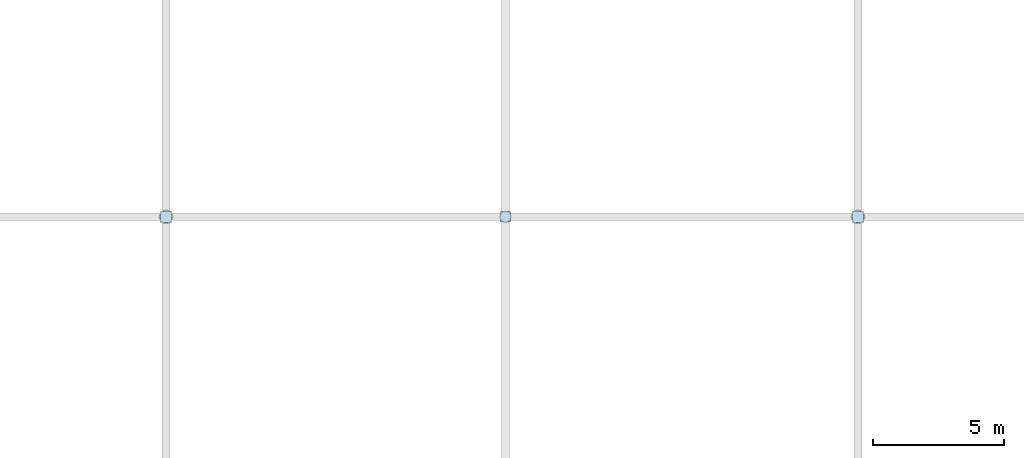
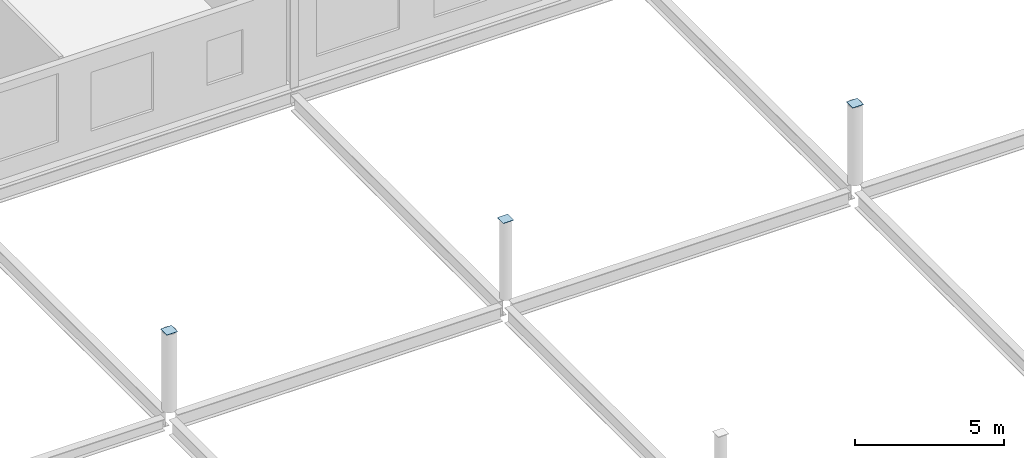
# One storey, part 120 of 134: 3 plates.
"""IFC4 building model written with IfcOpenShell, lengths in metres."""

from ifc_helpers import new_model, si_unit, direction, frame, origin, origin_2d, place, context, subcontext, project, spatial, rectangle, extrude, material, layer, layer_set, type_object, element, save


model = new_model("IFC4")

# Units and contexts
model_context = context("Model", 3, precision=1e-05, world=origin(), true_north=direction((0.0, 1.0)))
body_context = subcontext(model_context, "Body", "Model", "MODEL_VIEW")
ifc_project = project(units=[si_unit("LENGTHUNIT", "METRE"), si_unit("AREAUNIT", "SQUARE_METRE"), si_unit("VOLUMEUNIT", "CUBIC_METRE"), si_unit("PLANEANGLEUNIT", "RADIAN"), si_unit("MASSUNIT", "GRAM", prefix="KILO")], contexts=[model_context])

# Site, building, storey
site_placement = place(None, origin())
site = spatial("IfcSite", under=ifc_project, at=site_placement, CompositionType="ELEMENT")
building_placement = place(site_placement, origin())
building = spatial("IfcBuilding", under=site, at=building_placement, Name="Tamarisk Ironworks Central Station", CompositionType="ELEMENT")
storey_placement = place(building_placement, frame((0.0, 0.0, 12.60009765625)))
storey = spatial("IfcBuildingStorey", under=building, at=storey_placement, Name="L02", CompositionType="ELEMENT", Elevation=12.60009765625)

# Plates
ifc_material = material(Name="Painted structural steel S355J2", Category="steel")
ifc_layer = layer(ifc_material, 0.01611328125)
ifc_layer_set = layer_set([ifc_layer], Name="Painted structural steel S355J2")
plate_type = type_object("IfcPlateType", Name="PL-EC16", PredefinedType="SHEET", material=ifc_layer_set)
plate_1_placement = place(storey_placement, frame((140.0, 64.800048828125, 3.19189453125), z_axis=(0.0, 0.0, 1.0), x_axis=(1.0, 0.0, 0.0)))
element("IfcPlate", 1, at=plate_1_placement, inside=storey, type_object=plate_type, Name="Hollow section welded end-cap plate 09", PredefinedType="SHEET", context=body_context, shape_type="SweptSolid", body=[
    extrude(rectangle(XDim=0.419921875, YDim=0.419921875, at=origin_2d()), origin(), (0.0, 0.0, 1.0), 0.01611328125),
])
plate_2_placement = place(storey_placement, frame((153.0, 64.800048828125, 3.19189453125), z_axis=(0.0, 0.0, 1.0), x_axis=(1.0, 0.0, 0.0)))
element("IfcPlate", 2, at=plate_2_placement, inside=storey, type_object=plate_type, Name="Hollow section welded end-cap plate 12", PredefinedType="SHEET", context=body_context, shape_type="SweptSolid", body=[
    extrude(rectangle(XDim=0.39990234375, YDim=0.39990234375, at=origin_2d()), origin(), (0.0, 0.0, 1.0), 0.01611328125),
])
plate_3_placement = place(storey_placement, frame((166.5, 64.800048828125, 3.19189453125), z_axis=(0.0, 0.0, 1.0), x_axis=(1.0, 0.0, 0.0)))
element("IfcPlate", 3, at=plate_3_placement, inside=storey, type_object=plate_type, Name="Hollow section welded end-cap plate 15", PredefinedType="SHEET", context=body_context, shape_type="SweptSolid", body=[
    extrude(rectangle(XDim=0.419921875, YDim=0.419921875, at=origin_2d()), origin(), (0.0, 0.0, 1.0), 0.01611328125),
])

save(model, "model.ifc")
